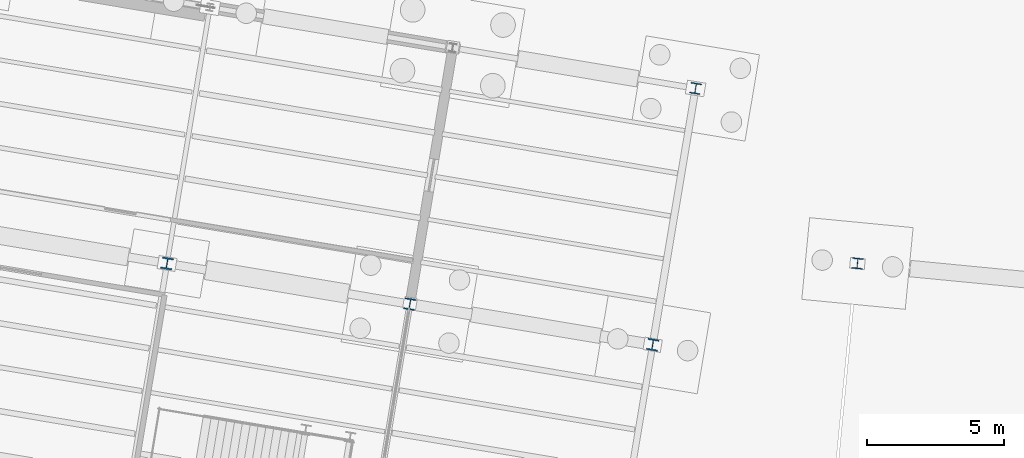
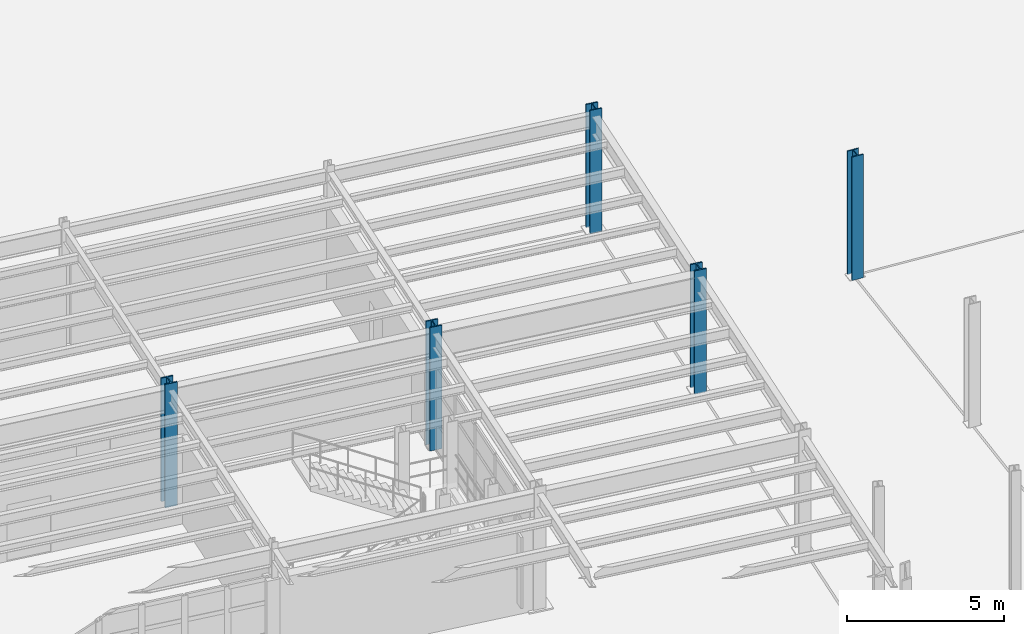
# One storey, part 22 of 108: 5 columns.
"""IFC4 building model written with IfcOpenShell, lengths in metres."""

from ifc_helpers import new_model, si_unit, direction, frame, origin, origin_2d, place, context, subcontext, project, spatial, i_section, extrude, material, material_profile, profile_set, type_object, element, save


model = new_model("IFC4")

# Units and contexts
model_context = context("Model", 3, precision=1e-05, world=origin(), true_north=direction((0.0, 1.0)))
body_context = subcontext(model_context, "Body", "Model", "MODEL_VIEW")
ifc_project = project(units=[si_unit("LENGTHUNIT", "METRE"), si_unit("AREAUNIT", "SQUARE_METRE"), si_unit("VOLUMEUNIT", "CUBIC_METRE"), si_unit("PLANEANGLEUNIT", "RADIAN"), si_unit("MASSUNIT", "GRAM", prefix="KILO")], contexts=[model_context])

# Site, building, storey
site_placement = place(None, origin())
site = spatial("IfcSite", under=ifc_project, at=site_placement, CompositionType="ELEMENT")
building_placement = place(site_placement, origin())
building = spatial("IfcBuilding", under=site, at=building_placement, Name="Vireo Bluff Cable Station", CompositionType="ELEMENT")
storey_placement = place(building_placement, origin())
storey = spatial("IfcBuildingStorey", under=building, at=storey_placement, Name="L00", CompositionType="ELEMENT", Elevation=0.0)

# Columns
ifc_material = material(Name="Steel ASTM A992 Gr. 50", Category="steel")
ifc_material_profile_1 = material_profile(ifc_material, i_section(OverallWidth=0.408935546875, OverallDepth=0.424072265625, WebThickness=0.03271484375, FlangeThickness=0.052490234375, FilletRadius=0.014892578125, at=origin_2d()), Name="W14X283")
ifc_profile_set_1 = profile_set([ifc_material_profile_1], Name="Steel ASTM A992 Gr. 50")
column_type_1 = type_object("IfcColumnType", Name="COL-W14X283", PredefinedType="COLUMN", material=ifc_profile_set_1)
for number, where, z_axis, x_axis, name in (
    (1, (35.265625, 85.783203125, 0.0), (0.0, 0.0, 1.0), (0.986285601537, -0.165047605861, 0.0), "V4 L00 column 298"),
    (2, (53.018798828125, 82.812255859375, 0.0), (0.0, 0.0, 1.0), (0.986285601537, -0.165047605861, 0.0), "V4 L00 column 324"),
):
    element("IfcColumn", number, at=place(storey_placement, frame(where, z_axis=z_axis, x_axis=x_axis)), inside=storey, type_object=column_type_1, Name=name, PredefinedType="COLUMN", context=body_context, shape_type="SweptSolid", body=[
        extrude(i_section(OverallWidth=0.408935546875, OverallDepth=0.424072265625, WebThickness=0.03271484375, FlangeThickness=0.052490234375, FilletRadius=0.014892578125, at=origin_2d()), origin(), (0.0, 0.0, 1.0), 4.800048828125),
    ])
ifc_material_profile_2 = material_profile(ifc_material, i_section(OverallWidth=0.40087890625, OverallDepth=0.39892578125, WebThickness=0.02490234375, FlangeThickness=0.03955078125, FilletRadius=0.014892578125, at=origin_2d()), Name="W14X211")
ifc_profile_set_2 = profile_set([ifc_material_profile_2], Name="Steel ASTM A992 Gr. 50")
column_type_2 = type_object("IfcColumnType", Name="ECOL-W14X211", PredefinedType="COLUMN", material=ifc_profile_set_2)
for number, where, z_axis, x_axis, name in (
    (3, (60.504638671875, 85.78369140625, 0.0), (0.0, 0.0, 1.0), (0.995396198367, -0.09584575252, 0.0), "V3 L00 column 199"),
    (4, (54.586669921875, 92.181884765625, 0.0), (0.0, 0.0, 1.0), (0.986285601537, -0.165047605861, 0.0), "V4 L00 column 327"),
):
    element("IfcColumn", number, at=place(storey_placement, frame(where, z_axis=z_axis, x_axis=x_axis)), inside=storey, type_object=column_type_2, Name=name, PredefinedType="COLUMN", context=body_context, shape_type="SweptSolid", body=[
        extrude(i_section(OverallWidth=0.40087890625, OverallDepth=0.39892578125, WebThickness=0.02490234375, FlangeThickness=0.03955078125, FilletRadius=0.014892578125, at=origin_2d()), origin(), (0.0, 0.0, 1.0), 4.800048828125),
    ])
ifc_material_profile_3 = material_profile(ifc_material, i_section(OverallWidth=0.406005859375, OverallDepth=0.4169921875, WebThickness=0.02978515625, FlangeThickness=0.048095703125, FilletRadius=0.014892578125, at=origin_2d()), Name="W14X257")
ifc_profile_set_3 = profile_set([ifc_material_profile_3], Name="Steel ASTM A992 Gr. 50")
column_type_3 = type_object("IfcColumnType", Name="ECOL-W14X257", PredefinedType="COLUMN", material=ifc_profile_set_3)
column_placement = place(storey_placement, frame((44.14208984375, 84.297607421875, 0.0), z_axis=(0.0, 0.0, 1.0), x_axis=(0.986285601537, -0.165047605861, 0.0)))
element("IfcColumn", 5, at=column_placement, inside=storey, type_object=column_type_3, Name="V4 L00 column 312", PredefinedType="COLUMN", context=body_context, shape_type="SweptSolid", body=[
    extrude(i_section(OverallWidth=0.406005859375, OverallDepth=0.4169921875, WebThickness=0.02978515625, FlangeThickness=0.048095703125, FilletRadius=0.014892578125, at=origin_2d()), origin(), (0.0, 0.0, 1.0), 4.800048828125),
])

save(model, "model.ifc")
